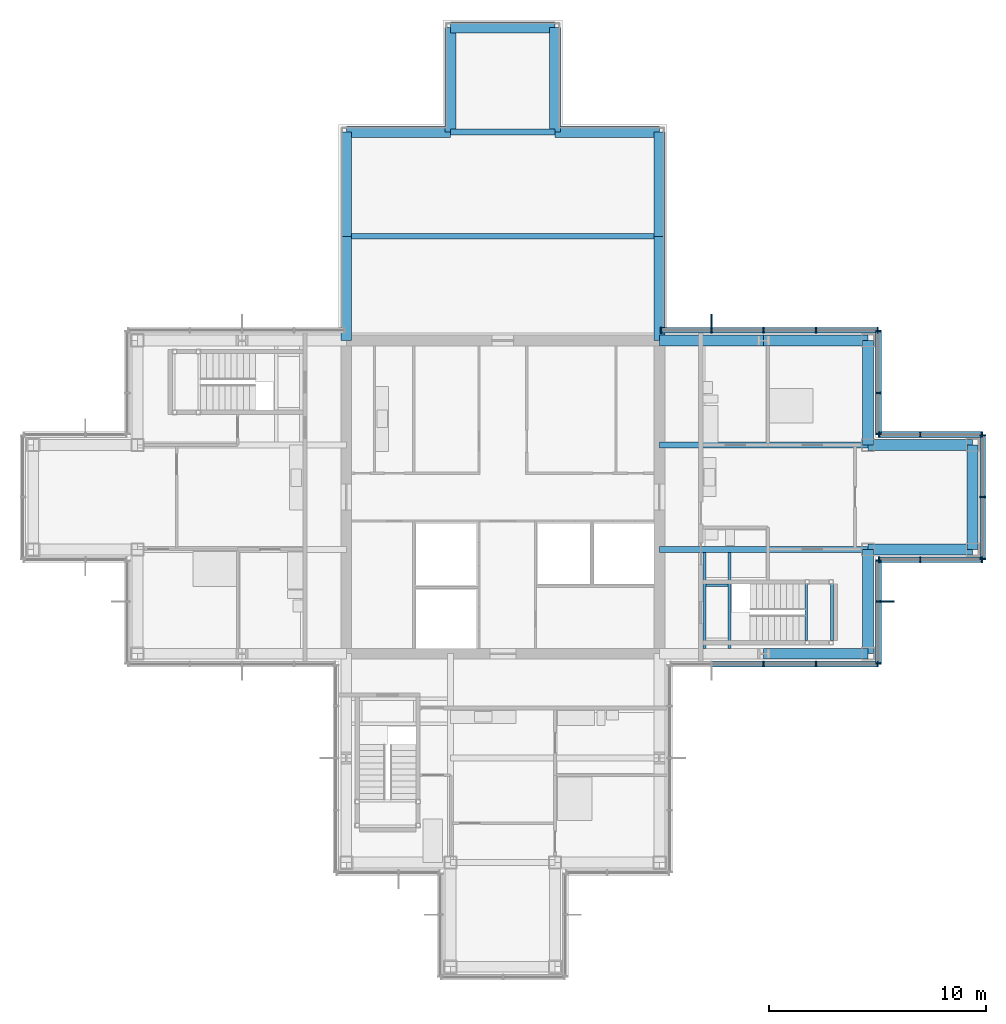
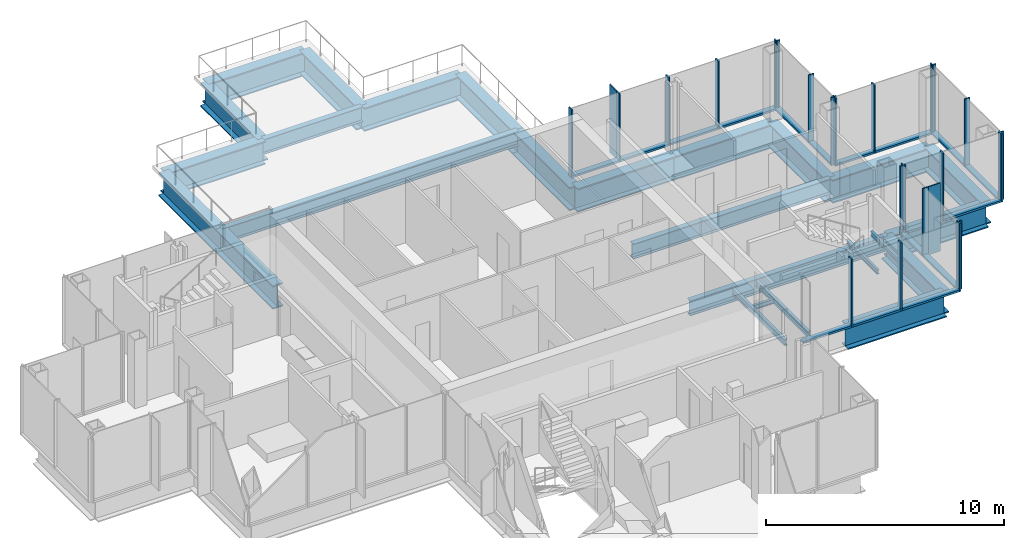
# One storey, part 7 of 14: 42 members, 26 beams, 7 elements without a shape of their own.
"""IFC4 building model written with IfcOpenShell, lengths in metres."""

from ifc_helpers import new_model, si_unit, direction, frame, origin, origin_2d, place, context, subcontext, project, spatial, rectangle, i_section, extrude, material, material_profile, profile_set, type_object, element, aggregate, save


model = new_model("IFC4")

# Units and contexts
model_context = context("Model", 3, precision=1e-05, world=origin(), true_north=direction((0.0, 1.0)))
body_context = subcontext(model_context, "Body", "Model", "MODEL_VIEW")
ifc_project = project(units=[si_unit("LENGTHUNIT", "METRE"), si_unit("AREAUNIT", "SQUARE_METRE"), si_unit("VOLUMEUNIT", "CUBIC_METRE"), si_unit("PLANEANGLEUNIT", "RADIAN"), si_unit("MASSUNIT", "GRAM", prefix="KILO")], contexts=[model_context])

# Site, building, storey
site_placement = place(None, origin())
site = spatial("IfcSite", under=ifc_project, at=site_placement, CompositionType="ELEMENT")
building_placement = place(site_placement, origin())
building = spatial("IfcBuilding", under=site, at=building_placement, Name="Kvirike Care Tower", CompositionType="ELEMENT")
storey_placement = place(building_placement, frame((0.0, 0.0, 194.5)))
storey = spatial("IfcBuildingStorey", under=building, at=storey_placement, Name="L53", CompositionType="ELEMENT", Elevation=194.5)

# Curtain wall, member
ifc_material_1 = material(Name="Anodised aluminium stick system", Category="aluminium")
curtain_wall_type = type_object("IfcCurtainWallType", Name="CW-D STICK CURTAIN WALL", PredefinedType="NOTDEFINED", material=ifc_material_1)
curtain_wall_1_placement = place(storey_placement, origin())
curtain_wall_1 = element("IfcCurtainWall", 1, at=curtain_wall_1_placement, inside=storey, type_object=curtain_wall_type, Name="Curtain wall L53 face 2", PredefinedType="NOTDEFINED")
ifc_material_2 = material(Name="Bronze anodised aluminium fin", Category="aluminium")
ifc_material_profile_1 = material_profile(ifc_material_2, rectangle(XDim=0.050048828125, YDim=0.60009765625, at=origin_2d()), Name="BRONZE FIN 600")
ifc_profile_set_1 = profile_set([ifc_material_profile_1], Name="Bronze anodised aluminium fin")
member_type_1 = type_object("IfcMemberType", Name="BRONZE FIN 600", PredefinedType="USERDEFINED", material=ifc_profile_set_1)
member_1_placement = place(storey_placement, frame((39.31005859375, 31.199951171875, 0.0), z_axis=(0.0, 0.0, 1.0), x_axis=(0.0, 1.0, 0.0)))
member_1 = element("IfcMember", 2, at=member_1_placement, type_object=member_type_1, Name="Bronze fin L53 face 2.2", ObjectType="FIN", PredefinedType="USERDEFINED", context=body_context, shape_type="SweptSolid", body=[
    extrude(rectangle(XDim=0.050048828125, YDim=0.60009765625, at=origin_2d()), origin(), (0.0, 0.0, 1.0), 3.5),
])

curtain_wall_2_placement = place(storey_placement, origin())
curtain_wall_2 = element("IfcCurtainWall", 3, at=curtain_wall_2_placement, inside=storey, type_object=curtain_wall_type, Name="Curtain wall L53 face 7", PredefinedType="NOTDEFINED")
member_2_placement = place(storey_placement, frame((31.199951171875, 44.110107421875, 0.0), z_axis=(0.0, 0.0, 1.0), x_axis=(-1.0, 0.0, 0.0)))
member_2 = element("IfcMember", 4, at=member_2_placement, type_object=member_type_1, Name="Bronze fin L53 face 7.4", ObjectType="FIN", PredefinedType="USERDEFINED", context=body_context, shape_type="SweptSolid", body=[
    extrude(rectangle(XDim=0.050048828125, YDim=0.60009765625, at=origin_2d()), origin(), (0.0, 0.0, 1.0), 3.5),
])

# Curtain wall, members
curtain_wall_3_placement = place(storey_placement, origin())
curtain_wall_3 = element("IfcCurtainWall", 5, at=curtain_wall_3_placement, inside=storey, type_object=curtain_wall_type, Name="Curtain wall L53 face 1", PredefinedType="NOTDEFINED")
ifc_material_3 = material(Name="Bronze anodised aluminium mullion", Category="aluminium")
ifc_material_profile_2 = material_profile(ifc_material_3, rectangle(XDim=0.06494140625, YDim=0.260009765625, at=origin_2d()), Name="CW-D MULLION 65x260")
ifc_profile_set_2 = profile_set([ifc_material_profile_2], Name="Bronze anodised aluminium mullion")
member_type_2 = type_object("IfcMemberType", Name="CW-D MULLION 65x260", PredefinedType="MULLION", material=ifc_profile_set_2)
member_3_placement = place(storey_placement, frame((33.60009765625, 28.320068359375, 0.0), z_axis=(0.0, 0.0, 1.0), x_axis=(1.0, 0.0, 0.0)))
member_3 = element("IfcMember", 6, at=member_3_placement, type_object=member_type_2, Name="CW-D mullion L53 face 1.3", PredefinedType="MULLION", context=body_context, shape_type="SweptSolid", body=[
    extrude(rectangle(XDim=0.06494140625, YDim=0.260009765625, at=origin_2d()), origin(), (0.0, 0.0, 1.0), 3.5),
])
member_4_placement = place(storey_placement, frame((36.0, 28.320068359375, 0.0), z_axis=(0.0, 0.0, 1.0), x_axis=(1.0, 0.0, 0.0)))
member_4 = element("IfcMember", 7, at=member_4_placement, type_object=member_type_2, Name="CW-D mullion L53 face 1.4", PredefinedType="MULLION", context=body_context, shape_type="SweptSolid", body=[
    extrude(rectangle(XDim=0.06494140625, YDim=0.260009765625, at=origin_2d()), origin(), (0.0, 0.0, 1.0), 3.5),
])
member_5_placement = place(storey_placement, frame((38.847412109375, 28.320068359375, 0.0), z_axis=(0.0, 0.0, 1.0), x_axis=(1.0, 0.0, 0.0)))
member_5 = element("IfcMember", 8, at=member_5_placement, type_object=member_type_2, Name="CW-D mullion L53 face 1.5", PredefinedType="MULLION", context=body_context, shape_type="SweptSolid", body=[
    extrude(rectangle(XDim=0.06494140625, YDim=0.260009765625, at=origin_2d()), origin(), (0.0, 0.0, 1.0), 3.5),
])

# Member
member_6_placement = place(storey_placement, frame((38.8798828125, 28.3525390625, 0.0), z_axis=(0.0, 0.0, 1.0), x_axis=(0.0, 1.0, 0.0)))
member_6 = element("IfcMember", 9, at=member_6_placement, type_object=member_type_2, Name="CW-D mullion L53 face 2.1", PredefinedType="MULLION", context=body_context, shape_type="SweptSolid", body=[
    extrude(rectangle(XDim=0.06494140625, YDim=0.260009765625, at=origin_2d()), origin(), (0.0, 0.0, 1.0), 3.5),
])

member_7_placement = place(storey_placement, frame((38.8798828125, 31.199951171875, 0.0), z_axis=(0.0, 0.0, 1.0), x_axis=(0.0, 1.0, 0.0)))
member_7 = element("IfcMember", 10, at=member_7_placement, type_object=member_type_2, Name="CW-D mullion L53 face 2.2", PredefinedType="MULLION", context=body_context, shape_type="SweptSolid", body=[
    extrude(rectangle(XDim=0.06494140625, YDim=0.260009765625, at=origin_2d()), origin(), (0.0, 0.0, 1.0), 3.5),
])

member_8_placement = place(storey_placement, frame((38.8798828125, 33.08740234375, 0.0), z_axis=(0.0, 0.0, 1.0), x_axis=(0.0, 1.0, 0.0)))
member_8 = element("IfcMember", 11, at=member_8_placement, type_object=member_type_2, Name="CW-D mullion L53 face 2.3", PredefinedType="MULLION", context=body_context, shape_type="SweptSolid", body=[
    extrude(rectangle(XDim=0.06494140625, YDim=0.260009765625, at=origin_2d()), origin(), (0.0, 0.0, 1.0), 3.5),
])

# Curtain wall, members
curtain_wall_4_placement = place(storey_placement, origin())
curtain_wall_4 = element("IfcCurtainWall", 12, at=curtain_wall_4_placement, inside=storey, type_object=curtain_wall_type, Name="Curtain wall L53 face 3", PredefinedType="NOTDEFINED")
member_9_placement = place(storey_placement, frame((38.91259765625, 33.1201171875, 0.0), z_axis=(0.0, 0.0, 1.0), x_axis=(1.0, 0.0, 0.0)))
member_9 = element("IfcMember", 13, at=member_9_placement, type_object=member_type_2, Name="CW-D mullion L53 face 3.1", PredefinedType="MULLION", context=body_context, shape_type="SweptSolid", body=[
    extrude(rectangle(XDim=0.06494140625, YDim=0.260009765625, at=origin_2d()), origin(), (0.0, 0.0, 1.0), 3.5),
])
member_10_placement = place(storey_placement, frame((40.800048828125, 33.1201171875, 0.0), z_axis=(0.0, 0.0, 1.0), x_axis=(1.0, 0.0, 0.0)))
member_10 = element("IfcMember", 14, at=member_10_placement, type_object=member_type_2, Name="CW-D mullion L53 face 3.2", PredefinedType="MULLION", context=body_context, shape_type="SweptSolid", body=[
    extrude(rectangle(XDim=0.06494140625, YDim=0.260009765625, at=origin_2d()), origin(), (0.0, 0.0, 1.0), 3.5),
])
member_11_placement = place(storey_placement, frame((43.6474609375, 33.1201171875, 0.0), z_axis=(0.0, 0.0, 1.0), x_axis=(1.0, 0.0, 0.0)))
member_11 = element("IfcMember", 15, at=member_11_placement, type_object=member_type_2, Name="CW-D mullion L53 face 3.3", PredefinedType="MULLION", context=body_context, shape_type="SweptSolid", body=[
    extrude(rectangle(XDim=0.06494140625, YDim=0.260009765625, at=origin_2d()), origin(), (0.0, 0.0, 1.0), 3.5),
])

curtain_wall_5_placement = place(storey_placement, origin())
curtain_wall_5 = element("IfcCurtainWall", 16, at=curtain_wall_5_placement, inside=storey, type_object=curtain_wall_type, Name="Curtain wall L53 face 4", PredefinedType="NOTDEFINED")
member_12_placement = place(storey_placement, frame((43.679931640625, 33.152587890625, 0.0), z_axis=(0.0, 0.0, 1.0), x_axis=(0.0, 1.0, 0.0)))
member_12 = element("IfcMember", 17, at=member_12_placement, type_object=member_type_2, Name="CW-D mullion L53 face 4.1", PredefinedType="MULLION", context=body_context, shape_type="SweptSolid", body=[
    extrude(rectangle(XDim=0.06494140625, YDim=0.260009765625, at=origin_2d()), origin(), (0.0, 0.0, 1.0), 3.5),
])
member_13_placement = place(storey_placement, frame((43.679931640625, 36.0, 0.0), z_axis=(0.0, 0.0, 1.0), x_axis=(0.0, 1.0, 0.0)))
member_13 = element("IfcMember", 18, at=member_13_placement, type_object=member_type_2, Name="CW-D mullion L53 face 4.2", PredefinedType="MULLION", context=body_context, shape_type="SweptSolid", body=[
    extrude(rectangle(XDim=0.06494140625, YDim=0.260009765625, at=origin_2d()), origin(), (0.0, 0.0, 1.0), 3.5),
])
member_14_placement = place(storey_placement, frame((43.679931640625, 38.847412109375, 0.0), z_axis=(0.0, 0.0, 1.0), x_axis=(0.0, 1.0, 0.0)))
member_14 = element("IfcMember", 19, at=member_14_placement, type_object=member_type_2, Name="CW-D mullion L53 face 4.3", PredefinedType="MULLION", context=body_context, shape_type="SweptSolid", body=[
    extrude(rectangle(XDim=0.06494140625, YDim=0.260009765625, at=origin_2d()), origin(), (0.0, 0.0, 1.0), 3.5),
])

curtain_wall_6_placement = place(storey_placement, origin())
curtain_wall_6 = element("IfcCurtainWall", 20, at=curtain_wall_6_placement, inside=storey, type_object=curtain_wall_type, Name="Curtain wall L53 face 5", PredefinedType="NOTDEFINED")
member_15_placement = place(storey_placement, frame((43.6474609375, 38.8798828125, 0.0), z_axis=(0.0, 0.0, 1.0), x_axis=(-1.0, 0.0, 0.0)))
member_15 = element("IfcMember", 21, at=member_15_placement, type_object=member_type_2, Name="CW-D mullion L53 face 5.1", PredefinedType="MULLION", context=body_context, shape_type="SweptSolid", body=[
    extrude(rectangle(XDim=0.06494140625, YDim=0.260009765625, at=origin_2d()), origin(), (0.0, 0.0, 1.0), 3.5),
])
member_16_placement = place(storey_placement, frame((40.800048828125, 38.8798828125, 0.0), z_axis=(0.0, 0.0, 1.0), x_axis=(-1.0, 0.0, 0.0)))
member_16 = element("IfcMember", 22, at=member_16_placement, type_object=member_type_2, Name="CW-D mullion L53 face 5.2", PredefinedType="MULLION", context=body_context, shape_type="SweptSolid", body=[
    extrude(rectangle(XDim=0.06494140625, YDim=0.260009765625, at=origin_2d()), origin(), (0.0, 0.0, 1.0), 3.5),
])
member_17_placement = place(storey_placement, frame((38.91259765625, 38.8798828125, 0.0), z_axis=(0.0, 0.0, 1.0), x_axis=(-1.0, 0.0, 0.0)))
member_17 = element("IfcMember", 23, at=member_17_placement, type_object=member_type_2, Name="CW-D mullion L53 face 5.3", PredefinedType="MULLION", context=body_context, shape_type="SweptSolid", body=[
    extrude(rectangle(XDim=0.06494140625, YDim=0.260009765625, at=origin_2d()), origin(), (0.0, 0.0, 1.0), 3.5),
])

curtain_wall_7_placement = place(storey_placement, origin())
curtain_wall_7 = element("IfcCurtainWall", 24, at=curtain_wall_7_placement, inside=storey, type_object=curtain_wall_type, Name="Curtain wall L53 face 6", PredefinedType="NOTDEFINED")
member_18_placement = place(storey_placement, frame((38.8798828125, 38.91259765625, 0.0), z_axis=(0.0, 0.0, 1.0), x_axis=(0.0, 1.0, 0.0)))
member_18 = element("IfcMember", 25, at=member_18_placement, type_object=member_type_2, Name="CW-D mullion L53 face 6.1", PredefinedType="MULLION", context=body_context, shape_type="SweptSolid", body=[
    extrude(rectangle(XDim=0.06494140625, YDim=0.260009765625, at=origin_2d()), origin(), (0.0, 0.0, 1.0), 3.5),
])
member_19_placement = place(storey_placement, frame((38.8798828125, 40.800048828125, 0.0), z_axis=(0.0, 0.0, 1.0), x_axis=(0.0, 1.0, 0.0)))
member_19 = element("IfcMember", 26, at=member_19_placement, type_object=member_type_2, Name="CW-D mullion L53 face 6.2", PredefinedType="MULLION", context=body_context, shape_type="SweptSolid", body=[
    extrude(rectangle(XDim=0.06494140625, YDim=0.260009765625, at=origin_2d()), origin(), (0.0, 0.0, 1.0), 3.5),
])
member_20_placement = place(storey_placement, frame((38.8798828125, 43.6474609375, 0.0), z_axis=(0.0, 0.0, 1.0), x_axis=(0.0, 1.0, 0.0)))
member_20 = element("IfcMember", 27, at=member_20_placement, type_object=member_type_2, Name="CW-D mullion L53 face 6.3", PredefinedType="MULLION", context=body_context, shape_type="SweptSolid", body=[
    extrude(rectangle(XDim=0.06494140625, YDim=0.260009765625, at=origin_2d()), origin(), (0.0, 0.0, 1.0), 3.5),
])

# Member
member_21_placement = place(storey_placement, frame((38.847412109375, 43.679931640625, 0.0), z_axis=(0.0, 0.0, 1.0), x_axis=(-1.0, 0.0, 0.0)))
member_21 = element("IfcMember", 28, at=member_21_placement, type_object=member_type_2, Name="CW-D mullion L53 face 7.1", PredefinedType="MULLION", context=body_context, shape_type="SweptSolid", body=[
    extrude(rectangle(XDim=0.06494140625, YDim=0.260009765625, at=origin_2d()), origin(), (0.0, 0.0, 1.0), 3.5),
])

member_22_placement = place(storey_placement, frame((36.0, 43.679931640625, 0.0), z_axis=(0.0, 0.0, 1.0), x_axis=(-1.0, 0.0, 0.0)))
member_22 = element("IfcMember", 29, at=member_22_placement, type_object=member_type_2, Name="CW-D mullion L53 face 7.2", PredefinedType="MULLION", context=body_context, shape_type="SweptSolid", body=[
    extrude(rectangle(XDim=0.06494140625, YDim=0.260009765625, at=origin_2d()), origin(), (0.0, 0.0, 1.0), 3.5),
])

member_23_placement = place(storey_placement, frame((33.60009765625, 43.679931640625, 0.0), z_axis=(0.0, 0.0, 1.0), x_axis=(-1.0, 0.0, 0.0)))
member_23 = element("IfcMember", 30, at=member_23_placement, type_object=member_type_2, Name="CW-D mullion L53 face 7.3", PredefinedType="MULLION", context=body_context, shape_type="SweptSolid", body=[
    extrude(rectangle(XDim=0.06494140625, YDim=0.260009765625, at=origin_2d()), origin(), (0.0, 0.0, 1.0), 3.5),
])

member_24_placement = place(storey_placement, frame((31.199951171875, 43.679931640625, 0.0), z_axis=(0.0, 0.0, 1.0), x_axis=(-1.0, 0.0, 0.0)))
member_24 = element("IfcMember", 31, at=member_24_placement, type_object=member_type_2, Name="CW-D mullion L53 face 7.4", PredefinedType="MULLION", context=body_context, shape_type="SweptSolid", body=[
    extrude(rectangle(XDim=0.06494140625, YDim=0.260009765625, at=origin_2d()), origin(), (0.0, 0.0, 1.0), 3.5),
])

member_25_placement = place(storey_placement, frame((28.882568359375, 43.679931640625, 0.0), z_axis=(0.0, 0.0, 1.0), x_axis=(-1.0, 0.0, 0.0)))
member_25 = element("IfcMember", 32, at=member_25_placement, type_object=member_type_2, Name="CW-D mullion L53 face 7.5", PredefinedType="MULLION", context=body_context, shape_type="SweptSolid", body=[
    extrude(rectangle(XDim=0.06494140625, YDim=0.260009765625, at=origin_2d()), origin(), (0.0, 0.0, 1.0), 3.5),
])

ifc_material_4 = material(Name="Bronze anodised aluminium transom", Category="aluminium")
ifc_material_profile_3 = material_profile(ifc_material_4, rectangle(XDim=0.260009765625, YDim=0.10009765625, at=origin_2d()), Name="CW-D TRANSOM 260x100")
ifc_profile_set_3 = profile_set([ifc_material_profile_3], Name="Bronze anodised aluminium transom")
member_type_3 = type_object("IfcMemberType", Name="CW-D TRANSOM 260x100", PredefinedType="USERDEFINED", material=ifc_profile_set_3)
member_26_placement = place(storey_placement, frame((31.232421875, 28.320068359375, 0.050048828125), z_axis=(1.0, 0.0, 0.0), x_axis=(0.0, 1.0, 0.0)))
member_26 = element("IfcMember", 33, at=member_26_placement, type_object=member_type_3, Name="CW-D sill transom L53 face 1.2", ObjectType="TRANSOM", PredefinedType="USERDEFINED", context=body_context, shape_type="SweptSolid", body=[
    extrude(rectangle(XDim=0.260009765625, YDim=0.10009765625, at=origin_2d()), origin(), (0.0, 0.0, 1.0), 2.3349609375),
])

member_27_placement = place(storey_placement, frame((33.632568359375, 28.320068359375, 0.050048828125), z_axis=(1.0, 0.0, 0.0), x_axis=(0.0, 1.0, 0.0)))
member_27 = element("IfcMember", 34, at=member_27_placement, type_object=member_type_3, Name="CW-D sill transom L53 face 1.3", ObjectType="TRANSOM", PredefinedType="USERDEFINED", context=body_context, shape_type="SweptSolid", body=[
    extrude(rectangle(XDim=0.260009765625, YDim=0.10009765625, at=origin_2d()), origin(), (0.0, 0.0, 1.0), 2.3349609375),
])

member_28_placement = place(storey_placement, frame((36.032470703125, 28.320068359375, 0.050048828125), z_axis=(1.0, 0.0, 0.0), x_axis=(0.0, 1.0, 0.0)))
member_28 = element("IfcMember", 35, at=member_28_placement, type_object=member_type_3, Name="CW-D sill transom L53 face 1.4", ObjectType="TRANSOM", PredefinedType="USERDEFINED", context=body_context, shape_type="SweptSolid", body=[
    extrude(rectangle(XDim=0.260009765625, YDim=0.10009765625, at=origin_2d()), origin(), (0.0, 0.0, 1.0), 2.782470703125),
])

aggregate(curtain_wall_3, [member_3, member_4, member_5, member_26, member_27, member_28])

member_29_placement = place(storey_placement, frame((38.8798828125, 28.385009765625, 0.050048828125), z_axis=(0.0, 1.0, 0.0), x_axis=(-1.0, 0.0, 0.0)))
member_29 = element("IfcMember", 36, at=member_29_placement, type_object=member_type_3, Name="CW-D sill transom L53 face 2.1", ObjectType="TRANSOM", PredefinedType="USERDEFINED", context=body_context, shape_type="SweptSolid", body=[
    extrude(rectangle(XDim=0.260009765625, YDim=0.10009765625, at=origin_2d()), origin(), (0.0, 0.0, 1.0), 2.782470703125),
])

member_30_placement = place(storey_placement, frame((38.8798828125, 31.232421875, 0.050048828125), z_axis=(0.0, 1.0, 0.0), x_axis=(-1.0, 0.0, 0.0)))
member_30 = element("IfcMember", 37, at=member_30_placement, type_object=member_type_3, Name="CW-D sill transom L53 face 2.2", ObjectType="TRANSOM", PredefinedType="USERDEFINED", context=body_context, shape_type="SweptSolid", body=[
    extrude(rectangle(XDim=0.260009765625, YDim=0.10009765625, at=origin_2d()), origin(), (0.0, 0.0, 1.0), 1.822509765625),
])

aggregate(curtain_wall_1, [member_6, member_7, member_1, member_8, member_29, member_30])

member_31_placement = place(storey_placement, frame((38.945068359375, 33.1201171875, 0.050048828125), z_axis=(1.0, 0.0, 0.0), x_axis=(0.0, 1.0, 0.0)))
member_31 = element("IfcMember", 38, at=member_31_placement, type_object=member_type_3, Name="CW-D sill transom L53 face 3.1", ObjectType="TRANSOM", PredefinedType="USERDEFINED", context=body_context, shape_type="SweptSolid", body=[
    extrude(rectangle(XDim=0.260009765625, YDim=0.10009765625, at=origin_2d()), origin(), (0.0, 0.0, 1.0), 1.822509765625),
])

member_32_placement = place(storey_placement, frame((40.83251953125, 33.1201171875, 0.050048828125), z_axis=(1.0, 0.0, 0.0), x_axis=(0.0, 1.0, 0.0)))
member_32 = element("IfcMember", 39, at=member_32_placement, type_object=member_type_3, Name="CW-D sill transom L53 face 3.2", ObjectType="TRANSOM", PredefinedType="USERDEFINED", context=body_context, shape_type="SweptSolid", body=[
    extrude(rectangle(XDim=0.260009765625, YDim=0.10009765625, at=origin_2d()), origin(), (0.0, 0.0, 1.0), 2.782470703125),
])

aggregate(curtain_wall_4, [member_9, member_10, member_11, member_31, member_32])

member_33_placement = place(storey_placement, frame((43.679931640625, 33.18505859375, 0.050048828125), z_axis=(0.0, 1.0, 0.0), x_axis=(-1.0, 0.0, 0.0)))
member_33 = element("IfcMember", 40, at=member_33_placement, type_object=member_type_3, Name="CW-D sill transom L53 face 4.1", ObjectType="TRANSOM", PredefinedType="USERDEFINED", context=body_context, shape_type="SweptSolid", body=[
    extrude(rectangle(XDim=0.260009765625, YDim=0.10009765625, at=origin_2d()), origin(), (0.0, 0.0, 1.0), 2.782470703125),
])

member_34_placement = place(storey_placement, frame((43.679931640625, 36.032470703125, 0.050048828125), z_axis=(0.0, 1.0, 0.0), x_axis=(-1.0, 0.0, 0.0)))
member_34 = element("IfcMember", 41, at=member_34_placement, type_object=member_type_3, Name="CW-D sill transom L53 face 4.2", ObjectType="TRANSOM", PredefinedType="USERDEFINED", context=body_context, shape_type="SweptSolid", body=[
    extrude(rectangle(XDim=0.260009765625, YDim=0.10009765625, at=origin_2d()), origin(), (0.0, 0.0, 1.0), 2.782470703125),
])

aggregate(curtain_wall_5, [member_12, member_13, member_14, member_33, member_34])

member_35_placement = place(storey_placement, frame((43.614990234375, 38.8798828125, 0.050048828125), z_axis=(-1.0, 0.0, 0.0), x_axis=(0.0, -1.0, 0.0)))
member_35 = element("IfcMember", 42, at=member_35_placement, type_object=member_type_3, Name="CW-D sill transom L53 face 5.1", ObjectType="TRANSOM", PredefinedType="USERDEFINED", context=body_context, shape_type="SweptSolid", body=[
    extrude(rectangle(XDim=0.260009765625, YDim=0.10009765625, at=origin_2d()), origin(), (0.0, 0.0, 1.0), 2.782470703125),
])

member_36_placement = place(storey_placement, frame((40.767578125, 38.8798828125, 0.050048828125), z_axis=(-1.0, 0.0, 0.0), x_axis=(0.0, -1.0, 0.0)))
member_36 = element("IfcMember", 43, at=member_36_placement, type_object=member_type_3, Name="CW-D sill transom L53 face 5.2", ObjectType="TRANSOM", PredefinedType="USERDEFINED", context=body_context, shape_type="SweptSolid", body=[
    extrude(rectangle(XDim=0.260009765625, YDim=0.10009765625, at=origin_2d()), origin(), (0.0, 0.0, 1.0), 1.822509765625),
])

aggregate(curtain_wall_6, [member_15, member_16, member_17, member_35, member_36])

member_37_placement = place(storey_placement, frame((38.8798828125, 38.945068359375, 0.050048828125), z_axis=(0.0, 1.0, 0.0), x_axis=(-1.0, 0.0, 0.0)))
member_37 = element("IfcMember", 44, at=member_37_placement, type_object=member_type_3, Name="CW-D sill transom L53 face 6.1", ObjectType="TRANSOM", PredefinedType="USERDEFINED", context=body_context, shape_type="SweptSolid", body=[
    extrude(rectangle(XDim=0.260009765625, YDim=0.10009765625, at=origin_2d()), origin(), (0.0, 0.0, 1.0), 1.822509765625),
])

member_38_placement = place(storey_placement, frame((38.8798828125, 40.83251953125, 0.050048828125), z_axis=(0.0, 1.0, 0.0), x_axis=(-1.0, 0.0, 0.0)))
member_38 = element("IfcMember", 45, at=member_38_placement, type_object=member_type_3, Name="CW-D sill transom L53 face 6.2", ObjectType="TRANSOM", PredefinedType="USERDEFINED", context=body_context, shape_type="SweptSolid", body=[
    extrude(rectangle(XDim=0.260009765625, YDim=0.10009765625, at=origin_2d()), origin(), (0.0, 0.0, 1.0), 2.782470703125),
])

aggregate(curtain_wall_7, [member_18, member_19, member_20, member_37, member_38])

member_39_placement = place(storey_placement, frame((38.81494140625, 43.679931640625, 0.050048828125), z_axis=(-1.0, 0.0, 0.0), x_axis=(0.0, -1.0, 0.0)))
member_39 = element("IfcMember", 46, at=member_39_placement, type_object=member_type_3, Name="CW-D sill transom L53 face 7.1", ObjectType="TRANSOM", PredefinedType="USERDEFINED", context=body_context, shape_type="SweptSolid", body=[
    extrude(rectangle(XDim=0.260009765625, YDim=0.10009765625, at=origin_2d()), origin(), (0.0, 0.0, 1.0), 2.782470703125),
])

member_40_placement = place(storey_placement, frame((35.967529296875, 43.679931640625, 0.050048828125), z_axis=(-1.0, 0.0, 0.0), x_axis=(0.0, -1.0, 0.0)))
member_40 = element("IfcMember", 47, at=member_40_placement, type_object=member_type_3, Name="CW-D sill transom L53 face 7.2", ObjectType="TRANSOM", PredefinedType="USERDEFINED", context=body_context, shape_type="SweptSolid", body=[
    extrude(rectangle(XDim=0.260009765625, YDim=0.10009765625, at=origin_2d()), origin(), (0.0, 0.0, 1.0), 2.3349609375),
])

member_41_placement = place(storey_placement, frame((33.5673828125, 43.679931640625, 0.050048828125), z_axis=(-1.0, 0.0, 0.0), x_axis=(0.0, -1.0, 0.0)))
member_41 = element("IfcMember", 48, at=member_41_placement, type_object=member_type_3, Name="CW-D sill transom L53 face 7.3", ObjectType="TRANSOM", PredefinedType="USERDEFINED", context=body_context, shape_type="SweptSolid", body=[
    extrude(rectangle(XDim=0.260009765625, YDim=0.10009765625, at=origin_2d()), origin(), (0.0, 0.0, 1.0), 2.3349609375),
])

member_42_placement = place(storey_placement, frame((31.16748046875, 43.679931640625, 0.050048828125), z_axis=(-1.0, 0.0, 0.0), x_axis=(0.0, -1.0, 0.0)))
member_42 = element("IfcMember", 49, at=member_42_placement, type_object=member_type_3, Name="CW-D sill transom L53 face 7.4", ObjectType="TRANSOM", PredefinedType="USERDEFINED", context=body_context, shape_type="SweptSolid", body=[
    extrude(rectangle(XDim=0.260009765625, YDim=0.10009765625, at=origin_2d()), origin(), (0.0, 0.0, 1.0), 2.25244140625),
])

aggregate(curtain_wall_2, [member_21, member_22, member_23, member_24, member_2, member_25, member_39, member_40, member_41, member_42])

# Beams
ifc_material_5 = material(Name="Steel S355", Category="steel")
ifc_material_profile_4 = material_profile(ifc_material_5, i_section(OverallWidth=0.26806640625, OverallDepth=0.77001953125, WebThickness=0.015625, FlangeThickness=0.025390625, FilletRadius=0.01708984375, at=origin_2d()), Name="IPE 750x196")
ifc_profile_set_4 = profile_set([ifc_material_profile_4], Name="Steel S355")
beam_type_1 = type_object("IfcBeamType", Name="FLOOR BEAM IPE 750x196", PredefinedType="BEAM", material=ifc_profile_set_4)
for number, where, z_axis, x_axis, name in (
    (50, (28.800048828125, 33.60009765625, -0.554931640625), (1.0, 0.0, 0.0), (0.0, 1.0, 0.0), "Floor Beam H9-H11 L53"),
    (51, (28.800048828125, 38.39990234375, -0.554931640625), (1.0, 0.0, 0.0), (0.0, 1.0, 0.0), "Floor Beam J9-J11 L53"),
):
    element("IfcBeam", number, at=place(storey_placement, frame(where, z_axis=z_axis, x_axis=x_axis)), inside=storey, type_object=beam_type_1, Name=name, PredefinedType="BEAM", context=body_context, shape_type="SweptSolid", body=[
        extrude(i_section(OverallWidth=0.26806640625, OverallDepth=0.77001953125, WebThickness=0.015625, FlangeThickness=0.025390625, FilletRadius=0.01708984375, at=origin_2d()), origin(), (0.0, 0.0, 1.0), 9.599853515625),
    ])
beam_1_placement = place(storey_placement, frame((14.39990234375, 48.0, -0.554931640625), z_axis=(1.0, 0.0, 0.0), x_axis=(0.0, 1.0, 0.0)))
element("IfcBeam", 52, at=beam_1_placement, inside=storey, type_object=beam_type_1, Name="Floor Beam L6-L9 L53", PredefinedType="BEAM", context=body_context, shape_type="SweptSolid", body=[
    extrude(i_section(OverallWidth=0.26806640625, OverallDepth=0.77001953125, WebThickness=0.015625, FlangeThickness=0.025390625, FilletRadius=0.01708984375, at=origin_2d()), origin(), (0.0, 0.0, 1.0), 14.400146484375),
])
beam_2_placement = place(storey_placement, frame((19.199951171875, 52.800048828125, -0.554931640625), z_axis=(1.0, 0.0, 0.0), x_axis=(0.0, 1.0, 0.0)))
element("IfcBeam", 53, at=beam_2_placement, inside=storey, type_object=beam_type_1, Name="Floor Beam M7-M8 L53", PredefinedType="BEAM", context=body_context, shape_type="SweptSolid", body=[
    extrude(i_section(OverallWidth=0.26806640625, OverallDepth=0.77001953125, WebThickness=0.015625, FlangeThickness=0.025390625, FilletRadius=0.01708984375, at=origin_2d()), origin(), (0.0, 0.0, 1.0), 4.800048828125),
])
ifc_material_6 = material(Name="Steel S355", Category="steel")
ifc_material_profile_5 = material_profile(ifc_material_6, i_section(OverallWidth=0.5, OverallDepth=1.199951171875, WebThickness=0.030029296875, FlangeThickness=0.06005859375, at=origin_2d()), Name="PG 1200x500x30x60")
ifc_profile_set_5 = profile_set([ifc_material_profile_5], Name="Steel S355")
beam_type_2 = type_object("IfcBeamType", Name="SPANDREL PG 1200x500x30x60", PredefinedType="SPANDREL", material=ifc_profile_set_5)
beam_3_placement = place(storey_placement, frame((33.60009765625, 28.800048828125, -0.77001953125), z_axis=(1.0, 0.0, 0.0), x_axis=(0.0, 1.0, 0.0)))
element("IfcBeam", 54, at=beam_3_placement, inside=storey, type_object=beam_type_2, Name="Spandrel G10-G11 L53", PredefinedType="SPANDREL", context=body_context, shape_type="SweptSolid", body=[
    extrude(i_section(OverallWidth=0.5, OverallDepth=1.199951171875, WebThickness=0.030029296875, FlangeThickness=0.06005859375, at=origin_2d()), origin(), (0.0, 0.0, 1.0), 4.7998046875),
])
for number, where, z_axis, x_axis, name in (
    (55, (38.39990234375, 33.60009765625, -0.77001953125), (1.0, 0.0, 0.0), (0.0, 1.0, 0.0), "Spandrel H11-H12 L53"),
    (56, (38.39990234375, 38.39990234375, -0.77001953125), (1.0, 0.0, 0.0), (0.0, 1.0, 0.0), "Spandrel J11-J12 L53"),
    (57, (28.800048828125, 43.199951171875, -0.77001953125), (1.0, 0.0, 0.0), (0.0, 1.0, 0.0), "Spandrel K9-K10 L53"),
):
    element("IfcBeam", number, at=place(storey_placement, frame(where, z_axis=z_axis, x_axis=x_axis)), inside=storey, type_object=beam_type_2, Name=name, PredefinedType="SPANDREL", context=body_context, shape_type="SweptSolid", body=[
        extrude(i_section(OverallWidth=0.5, OverallDepth=1.199951171875, WebThickness=0.030029296875, FlangeThickness=0.06005859375, at=origin_2d()), origin(), (0.0, 0.0, 1.0), 4.800048828125),
    ])
beam_4_placement = place(storey_placement, frame((33.60009765625, 43.199951171875, -0.77001953125), z_axis=(1.0, 0.0, 0.0), x_axis=(0.0, 1.0, 0.0)))
element("IfcBeam", 58, at=beam_4_placement, inside=storey, type_object=beam_type_2, Name="Spandrel K10-K11 L53", PredefinedType="SPANDREL", context=body_context, shape_type="SweptSolid", body=[
    extrude(i_section(OverallWidth=0.5, OverallDepth=1.199951171875, WebThickness=0.030029296875, FlangeThickness=0.06005859375, at=origin_2d()), origin(), (0.0, 0.0, 1.0), 4.7998046875),
])
for number, where, z_axis, x_axis, name in (
    (59, (14.39990234375, 52.800048828125, -0.77001953125), (1.0, 0.0, 0.0), (0.0, 1.0, 0.0), "Spandrel M6-M7 L53"),
    (60, (24.0, 52.800048828125, -0.77001953125), (1.0, 0.0, 0.0), (0.0, 1.0, 0.0), "Spandrel M8-M9 L53"),
    (61, (19.199951171875, 57.60009765625, -0.77001953125), (1.0, 0.0, 0.0), (0.0, 1.0, 0.0), "Spandrel N7-N8 L53"),
    (62, (14.39990234375, 43.199951171875, -0.77001953125), (0.0, 1.0, 0.0), (-1.0, 0.0, 0.0), "Spandrel K6-L6 L53"),
    (63, (14.39990234375, 48.0, -0.77001953125), (0.0, 1.0, 0.0), (-1.0, 0.0, 0.0), "Spandrel L6-M6 L53"),
    (64, (19.199951171875, 52.800048828125, -0.77001953125), (0.0, 1.0, 0.0), (-1.0, 0.0, 0.0), "Spandrel M7-N7 L53"),
    (65, (24.0, 52.800048828125, -0.77001953125), (0.0, 1.0, 0.0), (-1.0, 0.0, 0.0), "Spandrel M8-N8 L53"),
    (66, (28.800048828125, 43.199951171875, -0.77001953125), (0.0, 1.0, 0.0), (-1.0, 0.0, 0.0), "Spandrel K9-L9 L53"),
    (67, (28.800048828125, 48.0, -0.77001953125), (0.0, 1.0, 0.0), (-1.0, 0.0, 0.0), "Spandrel L9-M9 L53"),
    (68, (38.39990234375, 28.800048828125, -0.77001953125), (0.0, 1.0, 0.0), (-1.0, 0.0, 0.0), "Spandrel G11-H11 L53"),
    (69, (38.39990234375, 38.39990234375, -0.77001953125), (0.0, 1.0, 0.0), (-1.0, 0.0, 0.0), "Spandrel J11-K11 L53"),
):
    element("IfcBeam", number, at=place(storey_placement, frame(where, z_axis=z_axis, x_axis=x_axis)), inside=storey, type_object=beam_type_2, Name=name, PredefinedType="SPANDREL", context=body_context, shape_type="SweptSolid", body=[
        extrude(i_section(OverallWidth=0.5, OverallDepth=1.199951171875, WebThickness=0.030029296875, FlangeThickness=0.06005859375, at=origin_2d()), origin(), (0.0, 0.0, 1.0), 4.800048828125),
    ])
beam_5_placement = place(storey_placement, frame((43.199951171875, 33.60009765625, -0.77001953125), z_axis=(0.0, 1.0, 0.0), x_axis=(-1.0, 0.0, 0.0)))
element("IfcBeam", 70, at=beam_5_placement, inside=storey, type_object=beam_type_2, Name="Spandrel H12-J12 L53", PredefinedType="SPANDREL", context=body_context, shape_type="SweptSolid", body=[
    extrude(i_section(OverallWidth=0.5, OverallDepth=1.199951171875, WebThickness=0.030029296875, FlangeThickness=0.06005859375, at=origin_2d()), origin(), (0.0, 0.0, 1.0), 4.7998046875),
])
ifc_material_7 = material(Name="Steel S355", Category="steel")
ifc_material_profile_6 = material_profile(ifc_material_7, i_section(OverallWidth=0.1201171875, OverallDepth=0.239990234375, WebThickness=0.006103515625, FlangeThickness=0.009765625, FilletRadius=0.014892578125, at=origin_2d()), Name="IPE 240")
ifc_profile_set_6 = profile_set([ifc_material_profile_6], Name="Steel S355")
beam_type_3 = type_object("IfcBeamType", Name="STAIR LANDING BEAM IPE 240", PredefinedType="BEAM", material=ifc_profile_set_6)
for number, where, z_axis, x_axis, name in (
    (71, (36.739990234375, 29.39990234375, 1.429931640625), (0.0, 1.0, 0.0), (-1.0, 0.0, 0.0), "Stair 2 landing beam back L53"),
    (72, (35.56005859375, 29.39990234375, 1.429931640625), (0.0, 1.0, 0.0), (-1.0, 0.0, 0.0), "Stair 2 landing beam front L53"),
):
    element("IfcBeam", number, at=place(storey_placement, frame(where, z_axis=z_axis, x_axis=x_axis)), inside=storey, type_object=beam_type_3, Name=name, PredefinedType="BEAM", context=body_context, shape_type="SweptSolid", body=[
        extrude(i_section(OverallWidth=0.1201171875, OverallDepth=0.239990234375, WebThickness=0.006103515625, FlangeThickness=0.009765625, FilletRadius=0.014892578125, at=origin_2d()), origin(), (0.0, 0.0, 1.0), 2.60009765625),
    ])
beam_6_placement = place(storey_placement, frame((31.949951171875, 31.93994140625, -0.320068359375), z_axis=(-1.0, 0.0, 0.0), x_axis=(0.0, -1.0, 0.0)))
element("IfcBeam", 73, at=beam_6_placement, inside=storey, type_object=beam_type_3, Name="Stair 2 landing edge beam 2 L53", PredefinedType="BEAM", context=body_context, shape_type="SweptSolid", body=[
    extrude(i_section(OverallWidth=0.1201171875, OverallDepth=0.239990234375, WebThickness=0.006103515625, FlangeThickness=0.009765625, FilletRadius=0.014892578125, at=origin_2d()), origin(), (0.0, 0.0, 1.0), 1.0),
])
ifc_material_8 = material(Name="Steel S355", Category="steel")
ifc_material_profile_7 = material_profile(ifc_material_8, i_section(OverallWidth=0.14990234375, OverallDepth=0.300048828125, WebThickness=0.007080078125, FlangeThickness=0.0107421875, FilletRadius=0.014892578125, at=origin_2d()), Name="IPE 300")
ifc_profile_set_7 = profile_set([ifc_material_profile_7], Name="Steel S355")
beam_type_4 = type_object("IfcBeamType", Name="STAIR TRIMMER IPE 300", PredefinedType="BEAM", material=ifc_profile_set_7)
for number, where, z_axis, x_axis, name in (
    (74, (32.02490234375, 29.050048828125, -0.35009765625), (0.0, 1.0, 0.0), (-1.0, 0.0, 0.0), "Stair 2 trimmer 1 L53"),
    (75, (30.875, 29.050048828125, -0.35009765625), (0.0, 1.0, 0.0), (-1.0, 0.0, 0.0), "Stair 2 trimmer 2 L53"),
):
    element("IfcBeam", number, at=place(storey_placement, frame(where, z_axis=z_axis, x_axis=x_axis)), inside=storey, type_object=beam_type_4, Name=name, PredefinedType="BEAM", context=body_context, shape_type="SweptSolid", body=[
        extrude(i_section(OverallWidth=0.14990234375, OverallDepth=0.300048828125, WebThickness=0.007080078125, FlangeThickness=0.0107421875, FilletRadius=0.014892578125, at=origin_2d()), origin(), (0.0, 0.0, 1.0), 4.416015625),
    ])

save(model, "model.ifc")
